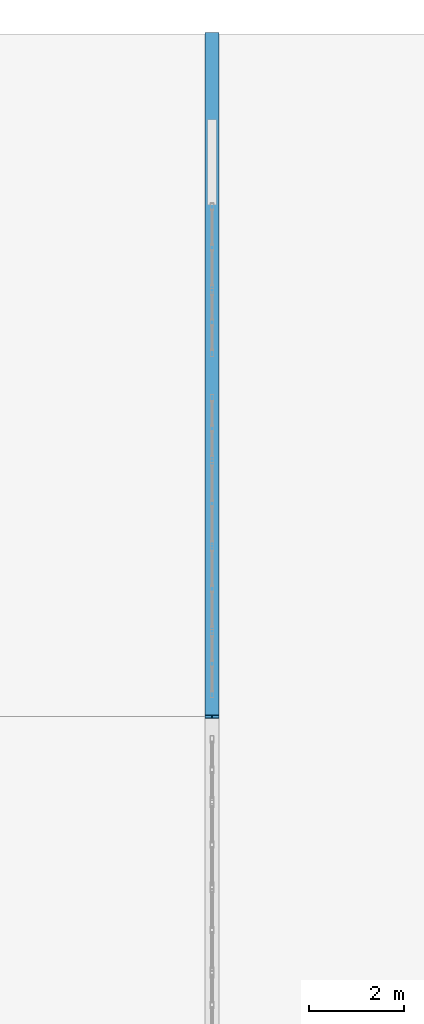
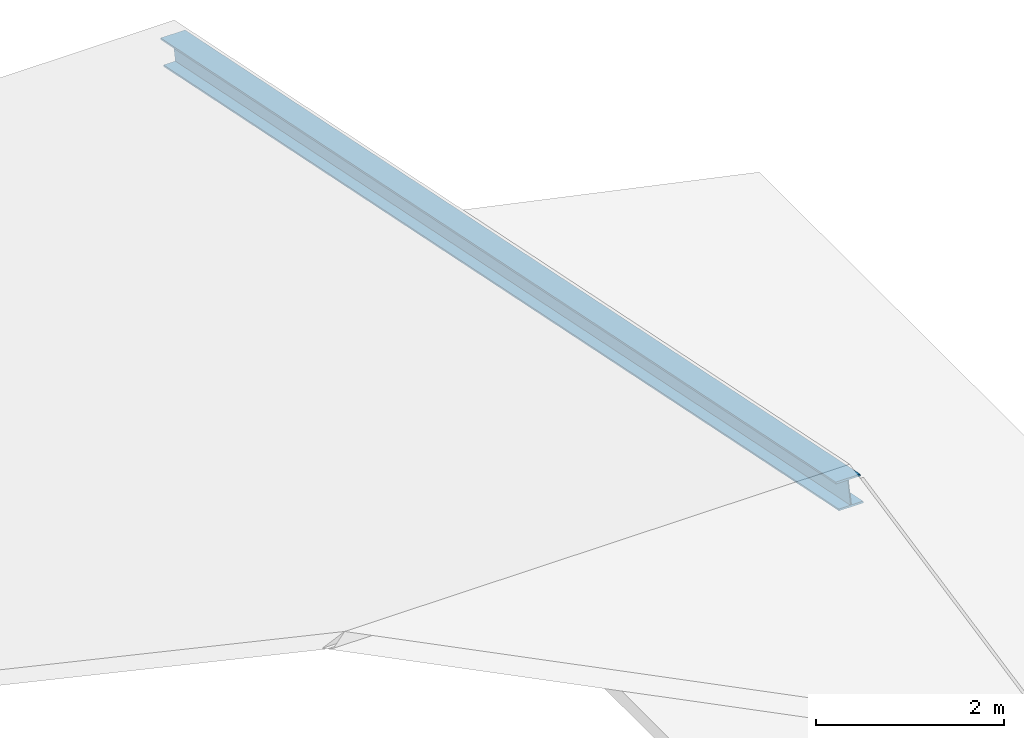
# One storey, part 31 of 76: 1 beam.
"""IFC4 building model written with IfcOpenShell, lengths in metres."""

from ifc_helpers import new_model, si_unit, direction, frame, origin, origin_2d, place, context, subcontext, project, spatial, i_section, extrude, material, material_profile, profile_set, type_object, element, save


model = new_model("IFC4")

# Units and contexts
model_context = context("Model", 3, precision=1e-05, world=origin(), true_north=direction((0.0, 1.0)))
body_context = subcontext(model_context, "Body", "Model", "MODEL_VIEW")
ifc_project = project(units=[si_unit("LENGTHUNIT", "METRE"), si_unit("AREAUNIT", "SQUARE_METRE"), si_unit("VOLUMEUNIT", "CUBIC_METRE"), si_unit("PLANEANGLEUNIT", "RADIAN"), si_unit("MASSUNIT", "GRAM", prefix="KILO"), si_unit("THERMODYNAMICTEMPERATUREUNIT", "KELVIN"), si_unit("POWERUNIT", "WATT")], contexts=[model_context])

# Site, building, storey
site_placement = place(None, origin())
site = spatial("IfcSite", under=ifc_project, at=site_placement, CompositionType="ELEMENT")
building_placement = place(site_placement, origin())
building = spatial("IfcBuilding", under=site, at=building_placement, Name="Kaldorven Railside Theatre", CompositionType="ELEMENT")
storey_placement = place(building_placement, frame((0.0, 0.0, 14.39990234375)))
storey = spatial("IfcBuildingStorey", under=building, at=storey_placement, Name="L03", CompositionType="ELEMENT", Elevation=14.39990234375)

# Beam
ifc_material = material(Name="Steel S355", Category="steel")
ifc_material_profile = material_profile(ifc_material, i_section(OverallWidth=0.300048828125, OverallDepth=0.340087890625, WebThickness=0.011962890625, FlangeThickness=0.021484375, at=origin_2d()), Name="HEB 340")
ifc_profile_set = profile_set([ifc_material_profile], Name="Steel S355")
beam_type = type_object("IfcBeamType", Name="BM-HEB340", PredefinedType="SPANDREL", material=ifc_profile_set)
beam_placement = place(storey_placement, frame((180.800048828125, 127.199951171875, 2.58154296875), z_axis=(0.0, 0.979655229465, -0.200687895455), x_axis=(-1.0, 0.0, 0.0)))
element("IfcBeam", 1, at=beam_placement, inside=storey, type_object=beam_type, Name="Backstage Monsoon Roof Rafter RAF-168", PredefinedType="SPANDREL", context=body_context, shape_type="SweptSolid", body=[
    extrude(i_section(OverallWidth=0.300048828125, OverallDepth=0.340087890625, WebThickness=0.011962890625, FlangeThickness=0.021484375, at=origin_2d()), origin(), (0.0, 0.0, 1.0), 14.69921875),
])

save(model, "model.ifc")
